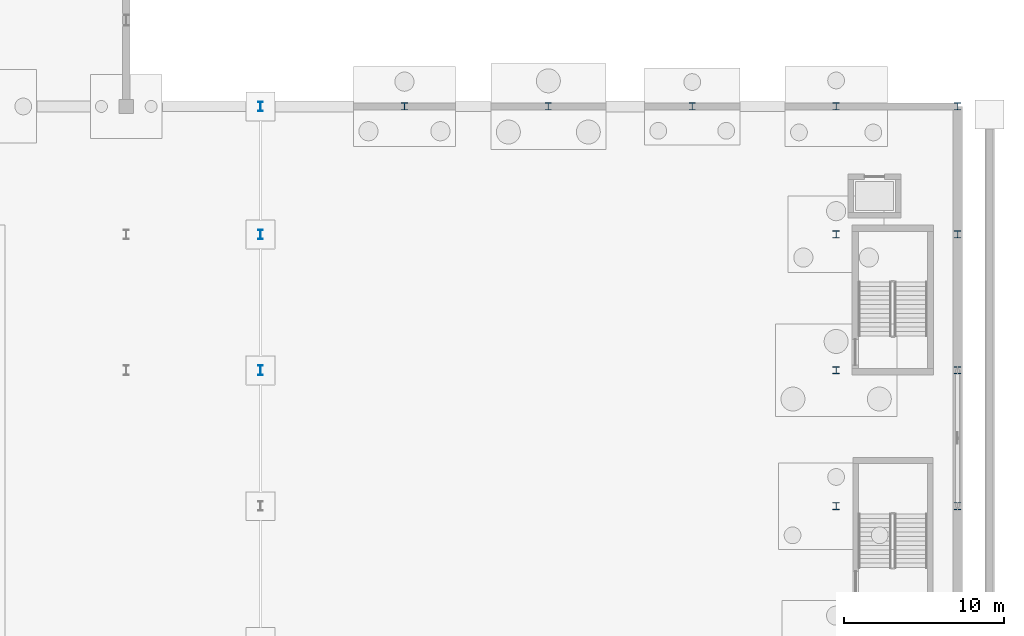
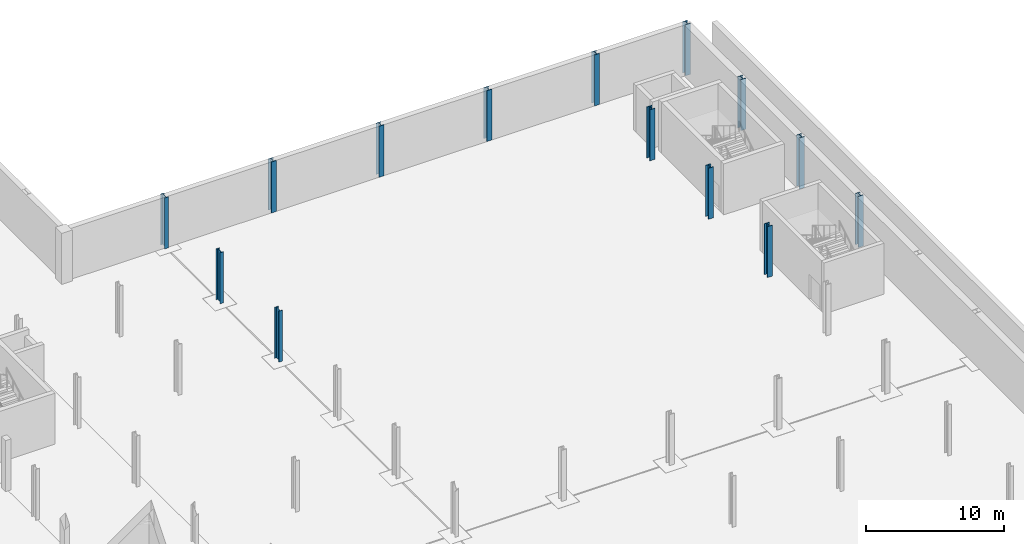
# One storey, part 19 of 45: 14 columns.
"""IFC4 building model written with IfcOpenShell, lengths in metres."""

from ifc_helpers import new_model, si_unit, direction, frame, origin, origin_2d, place, context, subcontext, project, spatial, i_section, extrude, material, material_profile, profile_set, type_object, element, save


model = new_model("IFC4")

# Units and contexts
model_context = context("Model", 3, precision=1e-05, world=origin(), true_north=direction((0.0, 1.0)))
body_context = subcontext(model_context, "Body", "Model", "MODEL_VIEW")
ifc_project = project(units=[si_unit("LENGTHUNIT", "METRE"), si_unit("AREAUNIT", "SQUARE_METRE"), si_unit("VOLUMEUNIT", "CUBIC_METRE"), si_unit("PLANEANGLEUNIT", "RADIAN"), si_unit("MASSUNIT", "GRAM", prefix="KILO")], contexts=[model_context])

# Site, building, storey
site_placement = place(None, origin())
site = spatial("IfcSite", under=ifc_project, at=site_placement, CompositionType="ELEMENT")
building_placement = place(site_placement, origin())
building = spatial("IfcBuilding", under=site, at=building_placement, Name="Sefraquen Railside Congress Hotel", CompositionType="ELEMENT")
storey_placement = place(building_placement, frame((0.0, 0.0, -4.5)))
storey = spatial("IfcBuildingStorey", under=building, at=storey_placement, Name="B01", CompositionType="ELEMENT", Elevation=-4.5)

# Columns
ifc_material_1 = material(Name="Steel S355J2", Category="steel")
ifc_material_profile_1 = material_profile(ifc_material_1, i_section(OverallWidth=0.424072265625, OverallDepth=0.47412109375, WebThickness=0.044921875, FlangeThickness=0.054931640625, FilletRadius=0.014892578125, at=origin_2d()), Name="HD 400x634")
ifc_profile_set_1 = profile_set([ifc_material_profile_1], Name="Steel S355J2")
column_type_1 = type_object("IfcColumnType", Name="TC-HD-634", PredefinedType="COLUMN", material=ifc_profile_set_1)
for number, where, z_axis, x_axis, name in (
    (1, (164.39990234375, 71.0, 0.0), (0.0, 0.0, 1.0), (1.0, 0.0, 0.0), "Structural column 21-J B01"),
    (2, (164.39990234375, 79.5, 0.0), (0.0, 0.0, 1.0), (1.0, 0.0, 0.0), "Structural column 21-K B01"),
    (3, (164.39990234375, 88.0, 0.0), (0.0, 0.0, 1.0), (1.0, 0.0, 0.0), "Structural column 21-L B01"),
    (4, (164.39990234375, 96.0, 0.0), (0.0, 0.0, 1.0), (1.0, 0.0, 0.0), "Structural column 21-M B01"),
    (5, (172.0, 71.0, 0.0), (0.0, 0.0, 1.0), (1.0, 0.0, 0.0), "Structural column 22-J B01"),
    (6, (172.0, 79.5, 0.0), (0.0, 0.0, 1.0), (1.0, 0.0, 0.0), "Structural column 22-K B01"),
    (7, (172.0, 88.0, 0.0), (0.0, 0.0, 1.0), (1.0, 0.0, 0.0), "Structural column 22-L B01"),
    (8, (172.0, 96.0, 0.0), (0.0, 0.0, 1.0), (1.0, 0.0, 0.0), "Structural column 22-M B01"),
    (9, (137.39990234375, 96.0, 0.0), (0.0, 0.0, 1.0), (1.0, 0.0, 0.0), "Structural column 18-M B01"),
    (10, (146.39990234375, 96.0, 0.0), (0.0, 0.0, 1.0), (1.0, 0.0, 0.0), "Structural column 19-M B01"),
    (11, (155.39990234375, 96.0, 0.0), (0.0, 0.0, 1.0), (1.0, 0.0, 0.0), "Structural column 20-M B01"),
):
    element("IfcColumn", number, at=place(storey_placement, frame(where, z_axis=z_axis, x_axis=x_axis)), inside=storey, type_object=column_type_1, Name=name, PredefinedType="COLUMN", context=body_context, shape_type="SweptSolid", body=[
        extrude(i_section(OverallWidth=0.424072265625, OverallDepth=0.47412109375, WebThickness=0.044921875, FlangeThickness=0.054931640625, FilletRadius=0.014892578125, at=origin_2d()), origin(), (0.0, 0.0, 1.0), 4.5),
    ])
ifc_material_2 = material(Name="Steel S355JR", Category="steel")
ifc_material_profile_2 = material_profile(ifc_material_2, i_section(OverallWidth=0.300048828125, OverallDepth=0.60009765625, WebThickness=0.015380859375, FlangeThickness=0.030029296875, FilletRadius=0.027099609375, at=origin_2d()), Name="HEB 600")
ifc_profile_set_2 = profile_set([ifc_material_profile_2], Name="Steel S355JR")
column_type_2 = type_object("IfcColumnType", Name="TC-HEB-600", PredefinedType="COLUMN", material=ifc_profile_set_2)
for number, where, z_axis, x_axis, name in (
    (12, (128.39990234375, 79.5, 0.0), (0.0, 0.0, 1.0), (1.0, 0.0, 0.0), "Structural column 17-K B01"),
    (13, (128.39990234375, 88.0, 0.0), (0.0, 0.0, 1.0), (1.0, 0.0, 0.0), "Structural column 17-L B01"),
    (14, (128.39990234375, 96.0, 0.0), (0.0, 0.0, 1.0), (1.0, 0.0, 0.0), "Structural column 17-M B01"),
):
    element("IfcColumn", number, at=place(storey_placement, frame(where, z_axis=z_axis, x_axis=x_axis)), inside=storey, type_object=column_type_2, Name=name, PredefinedType="COLUMN", context=body_context, shape_type="SweptSolid", body=[
        extrude(i_section(OverallWidth=0.300048828125, OverallDepth=0.60009765625, WebThickness=0.015380859375, FlangeThickness=0.030029296875, FilletRadius=0.027099609375, at=origin_2d()), origin(), (0.0, 0.0, 1.0), 4.5),
    ])

save(model, "model.ifc")
